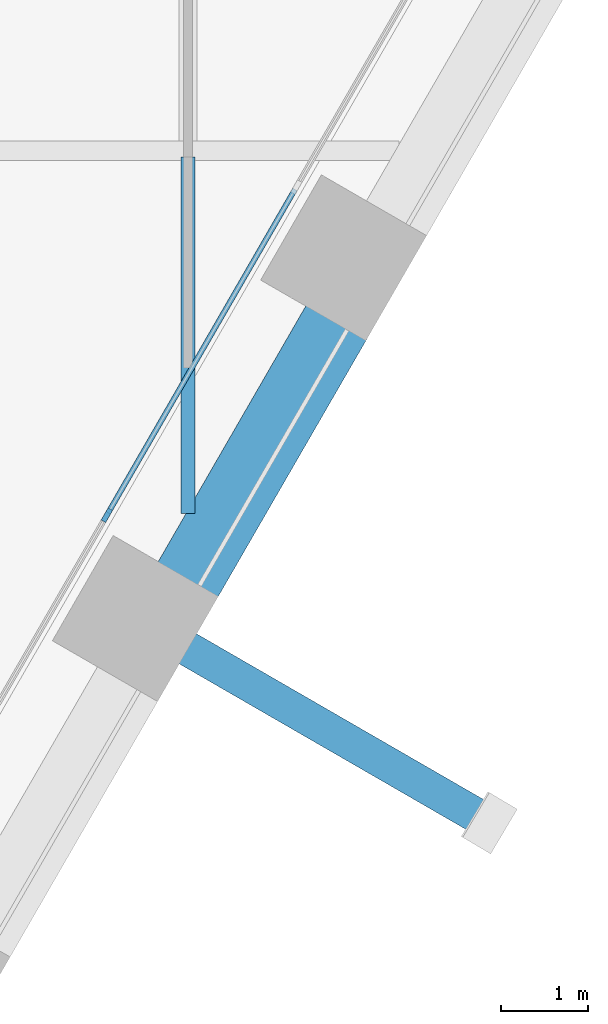
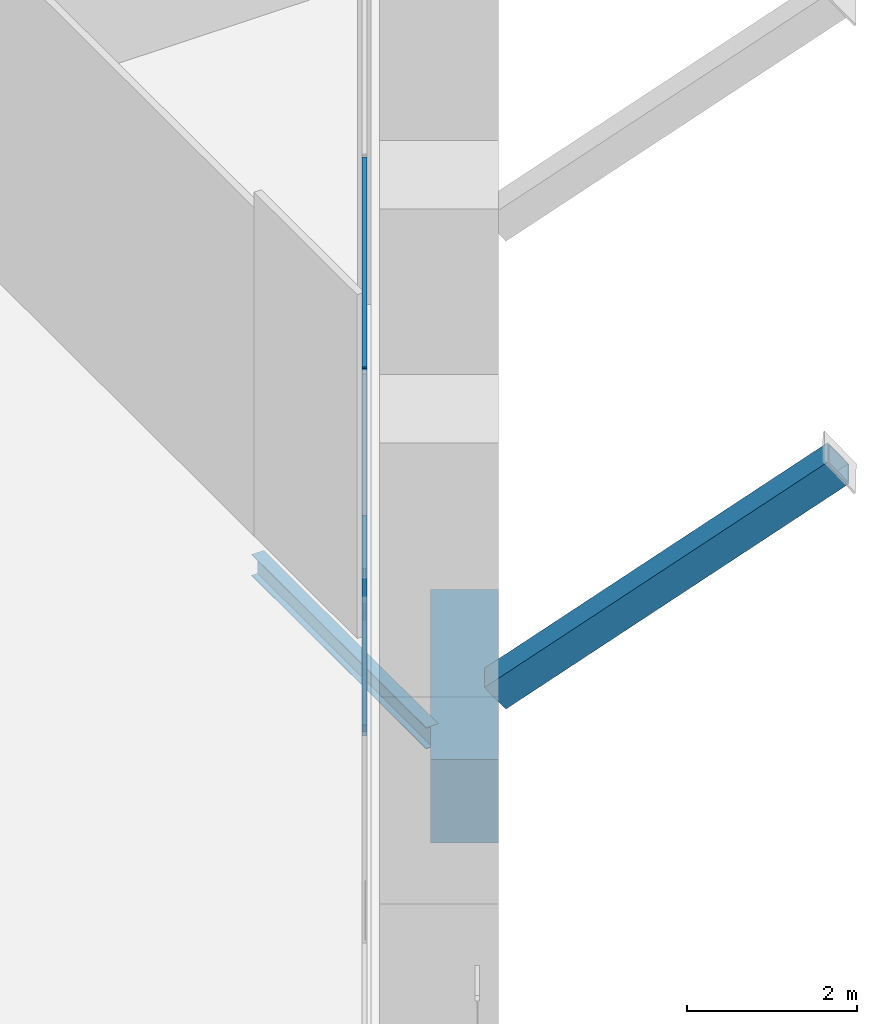
# One storey, part 5 of 29: 4 members, 2 beams, 1 element without a shape of its own.
"""IFC4 building model written with IfcOpenShell, lengths in metres."""

from ifc_helpers import new_model, si_unit, direction, frame, origin, origin_2d, place, context, subcontext, project, spatial, rectangle, hollow_rectangle, i_section, extrude, material, material_profile, profile_set, type_object, element, aggregate, save


model = new_model("IFC4")

# Units and contexts
model_context = context("Model", 3, precision=1e-05, world=origin(), true_north=direction((0.0, 1.0)))
body_context = subcontext(model_context, "Body", "Model", "MODEL_VIEW")
ifc_project = project(units=[si_unit("LENGTHUNIT", "METRE"), si_unit("AREAUNIT", "SQUARE_METRE"), si_unit("VOLUMEUNIT", "CUBIC_METRE"), si_unit("PLANEANGLEUNIT", "RADIAN"), si_unit("MASSUNIT", "GRAM", prefix="KILO")], contexts=[model_context])

# Site, building, storey
site_placement = place(None, origin())
site = spatial("IfcSite", under=ifc_project, at=site_placement, CompositionType="ELEMENT")
building_placement = place(site_placement, origin())
building = spatial("IfcBuilding", under=site, at=building_placement, Name="Kolab Exchange Tower", CompositionType="ELEMENT")
storey_placement = place(building_placement, frame((0.0, 0.0, 55.39990234375)))
storey = spatial("IfcBuildingStorey", under=building, at=storey_placement, Name="L10", CompositionType="ELEMENT", Elevation=55.39990234375)

# Beam
ifc_material_1 = material(Name="Steel S355", Category="steel")
ifc_material_profile_1 = material_profile(ifc_material_1, i_section(OverallWidth=0.1650390625, OverallDepth=0.31005859375, WebThickness=0.005859375, FlangeThickness=0.009765625, at=origin_2d()), Name="W310X39")
ifc_profile_set_1 = profile_set([ifc_material_profile_1], Name="Steel S355")
beam_type_1 = type_object("IfcBeamType", Name="FLOOR BEAM W310X39", PredefinedType="BEAM", material=ifc_profile_set_1)
beam_1_placement = place(storey_placement, frame((24.0, -23.381591796875, -0.40478515625), z_axis=(0.0, 1.0, 0.0), x_axis=(-1.0, 0.0, 0.0)))
element("IfcBeam", 1, at=beam_1_placement, inside=storey, type_object=beam_type_1, Name="beam/L10/fr/052", PredefinedType="BEAM", context=body_context, shape_type="SweptSolid", body=[
    extrude(i_section(OverallWidth=0.1650390625, OverallDepth=0.31005859375, WebThickness=0.005859375, FlangeThickness=0.009765625, at=origin_2d()), origin(), (0.0, 0.0, 1.0), 4.107666015625),
])

# Member
ifc_material_profile_2 = material_profile(ifc_material_1, hollow_rectangle(XDim=0.39990234375, YDim=0.39990234375, WallThickness=0.02001953125, at=origin_2d()), Name="HSS400X400X20")
ifc_profile_set_2 = profile_set([ifc_material_profile_2], Name="Steel S355")
member_type_1 = type_object("IfcMemberType", Name="LEDGE STRUT HSS400X400X20", PredefinedType="STRUT", material=ifc_profile_set_2)
member_1_placement = place(storey_placement, frame((23.96533203125, -24.92138671875, 1.22802734375), z_axis=(0.675602790468, -0.39005913672, 0.625631472493), x_axis=(0.499999695987, 0.866025579307, 0.0)))
element("IfcMember", 2, at=member_1_placement, inside=storey, type_object=member_type_1, Name="mem/L10/ledge/strut-7", PredefinedType="STRUT", context=body_context, shape_type="SweptSolid", body=[
    extrude(hollow_rectangle(XDim=0.39990234375, YDim=0.39990234375, WallThickness=0.02001953125, at=origin_2d()), origin(), (0.0, 0.0, 1.0), 5.1787109375),
])

# Beam
ifc_material_2 = material(Name="Concrete C80/95", Category="concrete")
ifc_material_profile_3 = material_profile(ifc_material_2, rectangle(XDim=0.800048828125, YDim=1.199951171875, at=origin_2d()), Name="RC800X1200")
ifc_profile_set_3 = profile_set([ifc_material_profile_3], Name="Concrete C80/95")
beam_type_2 = type_object("IfcBeamType", Name="SPANDREL BEAM 800X1200 C80/95", PredefinedType="BEAM", material=ifc_profile_set_3)
beam_2_placement = place(storey_placement, frame((25.7236328125, -21.15625, -0.849853515625), z_axis=(-0.500009906705, -0.86601968407, 0.0), x_axis=(0.86601968407, -0.500009906705, 0.0)))
element("IfcBeam", 3, at=beam_2_placement, inside=storey, type_object=beam_type_2, Name="beam/L10/sp/F3-06", PredefinedType="BEAM", context=body_context, shape_type="SweptSolid", body=[
    extrude(rectangle(XDim=0.800048828125, YDim=1.199951171875, at=origin_2d()), origin(), (0.0, 0.0, 1.0), 3.47998046875),
])

# Curtain wall, members
ifc_material_3 = material(Name="Aluminium EN AW-6063 T6", Category="aluminium")
curtain_wall_type = type_object("IfcCurtainWallType", Name="UNITISED LOW ZONE CURTAIN WALL", PredefinedType="NOTDEFINED", material=ifc_material_3)
curtain_wall_placement = place(storey_placement, origin())
curtain_wall = element("IfcCurtainWall", 4, at=curtain_wall_placement, inside=storey, type_object=curtain_wall_type, Name="cw/L10/F3-2", PredefinedType="NOTDEFINED")
ifc_material_profile_4 = material_profile(ifc_material_3, rectangle(XDim=0.06005859375, YDim=0.159912109375, at=origin_2d()), Name="RECT 60X160")
ifc_profile_set_4 = profile_set([ifc_material_profile_4], Name="Aluminium EN AW-6063 T6")
member_type_2 = type_object("IfcMemberType", Name="UNITISED LOW ZONE MULLION 60 X 160", PredefinedType="MULLION", material=ifc_profile_set_4)
member_2_placement = place(storey_placement, frame((23.064697265625, -23.401611328125, 0.0), z_axis=(0.0, 0.0, 1.0), x_axis=(0.866025397318, -0.5000000112, 0.0)))
member_2 = element("IfcMember", 5, at=member_2_placement, type_object=member_type_2, Name="CW1 mullion 3", PredefinedType="MULLION", context=body_context, shape_type="SweptSolid", body=[
    extrude(rectangle(XDim=0.06005859375, YDim=0.159912109375, at=origin_2d()), origin(), (0.0, 0.0, 1.0), 5.2001953125),
])
ifc_material_profile_5 = material_profile(ifc_material_3, rectangle(XDim=0.06005859375, YDim=0.10009765625, at=origin_2d()), Name="RECT 60X100")
ifc_profile_set_5 = profile_set([ifc_material_profile_5], Name="Aluminium EN AW-6063 T6")
member_type_3 = type_object("IfcMemberType", Name="UNITISED LOW ZONE TRANSOM 60 X 100", PredefinedType="USERDEFINED", material=ifc_profile_set_5)
member_3_placement = place(storey_placement, frame((25.233154296875, -19.6455078125, 0.030029296875), z_axis=(-0.500010313095, -0.866019449435, 0.0), x_axis=(0.866019449435, -0.500010313095, 0.0)))
member_3 = element("IfcMember", 6, at=member_3_placement, type_object=member_type_3, Name="CW1 transom 2.1", ObjectType="TRANSOM", PredefinedType="USERDEFINED", context=body_context, shape_type="SweptSolid", body=[
    extrude(rectangle(XDim=0.06005859375, YDim=0.10009765625, at=origin_2d()), origin(), (0.0, 0.0, 1.0), 4.30712890625),
])
member_4_placement = place(storey_placement, frame((25.233154296875, -19.6455078125, 5.170166015625), z_axis=(-0.500010313095, -0.866019449435, 0.0), x_axis=(0.866019449435, -0.500010313095, 0.0)))
member_4 = element("IfcMember", 7, at=member_4_placement, type_object=member_type_3, Name="CW1 transom 2.2", ObjectType="TRANSOM", PredefinedType="USERDEFINED", context=body_context, shape_type="SweptSolid", body=[
    extrude(rectangle(XDim=0.06005859375, YDim=0.10009765625, at=origin_2d()), origin(), (0.0, 0.0, 1.0), 4.30712890625),
])
aggregate(curtain_wall, [member_2, member_3, member_4])

save(model, "model.ifc")
